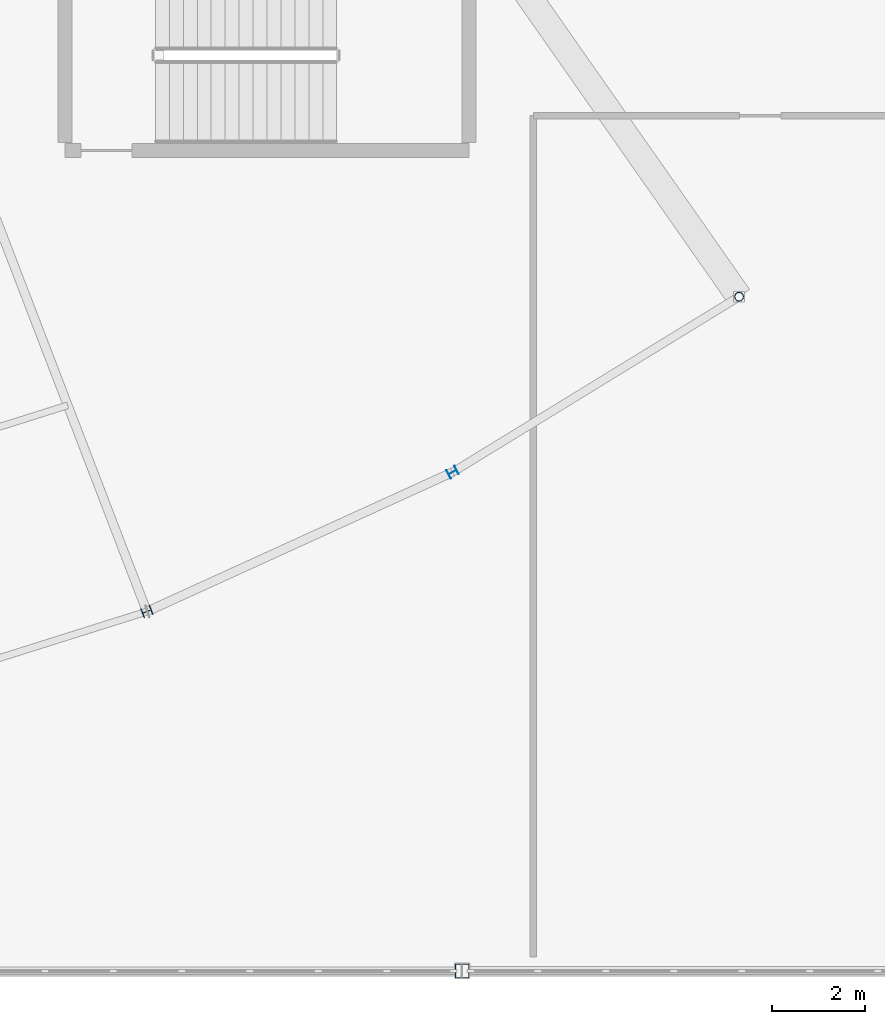
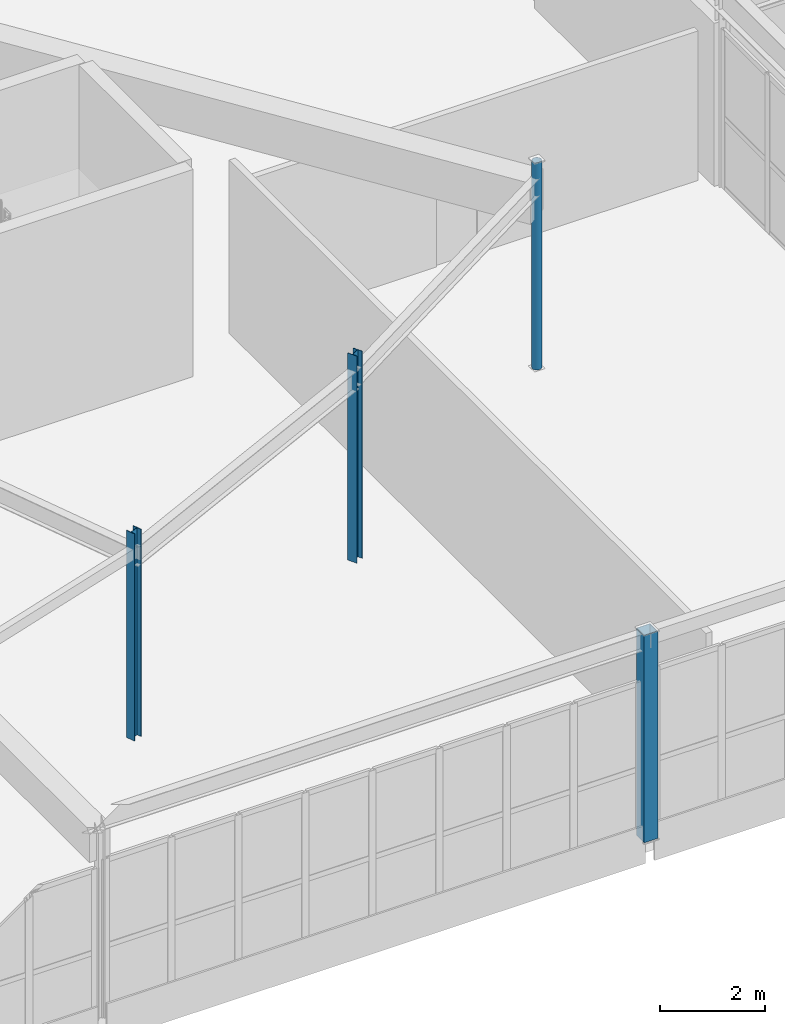
# One storey, part 10 of 186: 4 columns.
"""IFC4 building model written with IfcOpenShell, lengths in metres."""

from ifc_helpers import new_model, si_unit, direction, frame, origin, origin_2d, place, context, subcontext, project, spatial, hollow_rectangle, hollow_circle, i_section, extrude, material, material_profile, profile_set, type_object, element, save


model = new_model("IFC4")

# Units and contexts
model_context = context("Model", 3, precision=1e-05, world=origin(), true_north=direction((0.0, 1.0)))
body_context = subcontext(model_context, "Body", "Model", "MODEL_VIEW")
ifc_project = project(units=[si_unit("LENGTHUNIT", "METRE"), si_unit("AREAUNIT", "SQUARE_METRE"), si_unit("VOLUMEUNIT", "CUBIC_METRE"), si_unit("PLANEANGLEUNIT", "RADIAN"), si_unit("MASSUNIT", "GRAM", prefix="KILO")], contexts=[model_context])

# Site, building, storey
site_placement = place(None, origin())
site = spatial("IfcSite", under=ifc_project, at=site_placement, CompositionType="ELEMENT")
building_placement = place(site_placement, origin())
building = spatial("IfcBuilding", under=site, at=building_placement, Name="Tarnwether General Hospital", CompositionType="ELEMENT")
storey_placement = place(building_placement, frame((0.0, 0.0, 9.60009765625)))
storey = spatial("IfcBuildingStorey", under=building, at=storey_placement, Name="L02", CompositionType="ELEMENT", Elevation=9.60009765625)

# Columns
ifc_material_1 = material(Name="Steel Grade 350 (350 MPa)", Category="steel")
ifc_material_profile_1 = material_profile(ifc_material_1, i_section(OverallWidth=0.205078125, OverallDepth=0.2099609375, WebThickness=0.00927734375, FlangeThickness=0.01416015625, at=origin_2d()), Name="200UC59.5")
ifc_profile_set_1 = profile_set([ifc_material_profile_1], Name="Steel Grade 350 (350 MPa)")
column_type_1 = type_object("IfcColumnType", Name="COL-25", PredefinedType="COLUMN", material=ifc_profile_set_1)
column_1_placement = place(storey_placement, frame((113.215087890625, 7.73193359375, 0.0), z_axis=(0.0, 0.0, 1.0), x_axis=(-0.358367949545, 0.933580426497, 0.0)))
element("IfcColumn", 1, at=column_1_placement, inside=storey, type_object=column_type_1, Name="Column COLG-L02-11322_773", PredefinedType="COLUMN", context=body_context, shape_type="SweptSolid", body=[
    extrude(i_section(OverallWidth=0.205078125, OverallDepth=0.2099609375, WebThickness=0.00927734375, FlangeThickness=0.01416015625, at=origin_2d()), origin(), (0.0, 0.0, 1.0), 4.7998046875),
])
ifc_material_2 = material(Name="Steel Grade 350 (350 MPa)", Category="steel")
ifc_material_profile_2 = material_profile(ifc_material_2, i_section(OverallWidth=0.202880859375, OverallDepth=0.202880859375, WebThickness=0.00732421875, FlangeThickness=0.010986328125, at=origin_2d()), Name="200UC46.2")
ifc_profile_set_2 = profile_set([ifc_material_profile_2], Name="Steel Grade 350 (350 MPa)")
column_type_2 = type_object("IfcColumnType", Name="COL-27", PredefinedType="COLUMN", material=ifc_profile_set_2)
column_2_placement = place(storey_placement, frame((119.79296875, 10.72998046875, 0.0), z_axis=(0.0, 0.0, 1.0), x_axis=(-0.469471562786, 0.882947592859, 0.0)))
element("IfcColumn", 2, at=column_2_placement, inside=storey, type_object=column_type_2, Name="Column COLG-L02-11979_1073", PredefinedType="COLUMN", context=body_context, shape_type="SweptSolid", body=[
    extrude(i_section(OverallWidth=0.202880859375, OverallDepth=0.202880859375, WebThickness=0.00732421875, FlangeThickness=0.010986328125, at=origin_2d()), origin(), (0.0, 0.0, 1.0), 4.7998046875),
])
ifc_material_3 = material(Name="Steel Grade C350L0 (350 MPa)", Category="steel")
ifc_material_profile_3 = material_profile(ifc_material_3, hollow_circle(Radius=0.096923828125, WallThickness=0.008056640625, at=origin_2d()), Name="CHS193.7x8.0")
ifc_profile_set_3 = profile_set([ifc_material_profile_3], Name="Steel Grade C350L0 (350 MPa)")
column_type_3 = type_object("IfcColumnType", Name="COL-29", PredefinedType="COLUMN", material=ifc_profile_set_3)
column_3_placement = place(storey_placement, frame((125.9560546875, 14.506103515625, 0.0), z_axis=(0.0, 0.0, 1.0), x_axis=(-0.573576436351, 0.819152044289, 0.0)))
element("IfcColumn", 3, at=column_3_placement, inside=storey, type_object=column_type_3, Name="Column COLG-L02-12596_1451", PredefinedType="COLUMN", context=body_context, shape_type="SweptSolid", body=[
    extrude(hollow_circle(Radius=0.096923828125, WallThickness=0.008056640625, at=origin_2d()), origin(), (0.0, 0.0, 1.0), 4.7998046875),
])
ifc_material_4 = material(Name="Steel Grade C350L0 (350 MPa)", Category="steel")
ifc_material_profile_4 = material_profile(ifc_material_4, hollow_rectangle(XDim=0.300048828125, YDim=0.300048828125, WallThickness=0.012451171875, at=origin_2d()), Name="SHS300x300x12.5")
ifc_profile_set_4 = profile_set([ifc_material_profile_4], Name="Steel Grade C350L0 (350 MPa)")
column_type_4 = type_object("IfcColumnType", Name="COL-30", PredefinedType="COLUMN", material=ifc_profile_set_4)
column_4_placement = place(storey_placement, frame((120.0, 0.0, 0.0), z_axis=(0.0, 0.0, 1.0), x_axis=(1.0, 0.0, 0.0)))
element("IfcColumn", 4, at=column_4_placement, inside=storey, type_object=column_type_4, Name="Column COLG-L02-12000_0", PredefinedType="COLUMN", context=body_context, shape_type="SweptSolid", body=[
    extrude(hollow_rectangle(XDim=0.300048828125, YDim=0.300048828125, WallThickness=0.012451171875, at=origin_2d()), origin(), (0.0, 0.0, 1.0), 4.7998046875),
])

save(model, "model.ifc")
